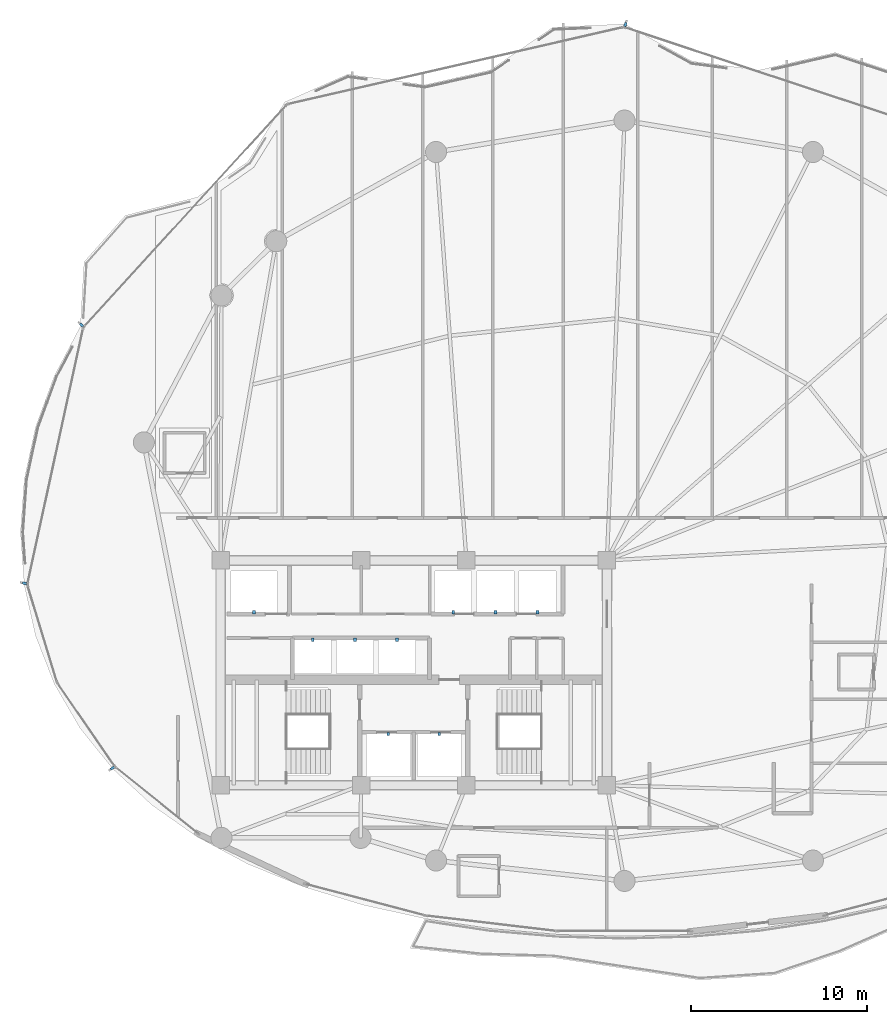
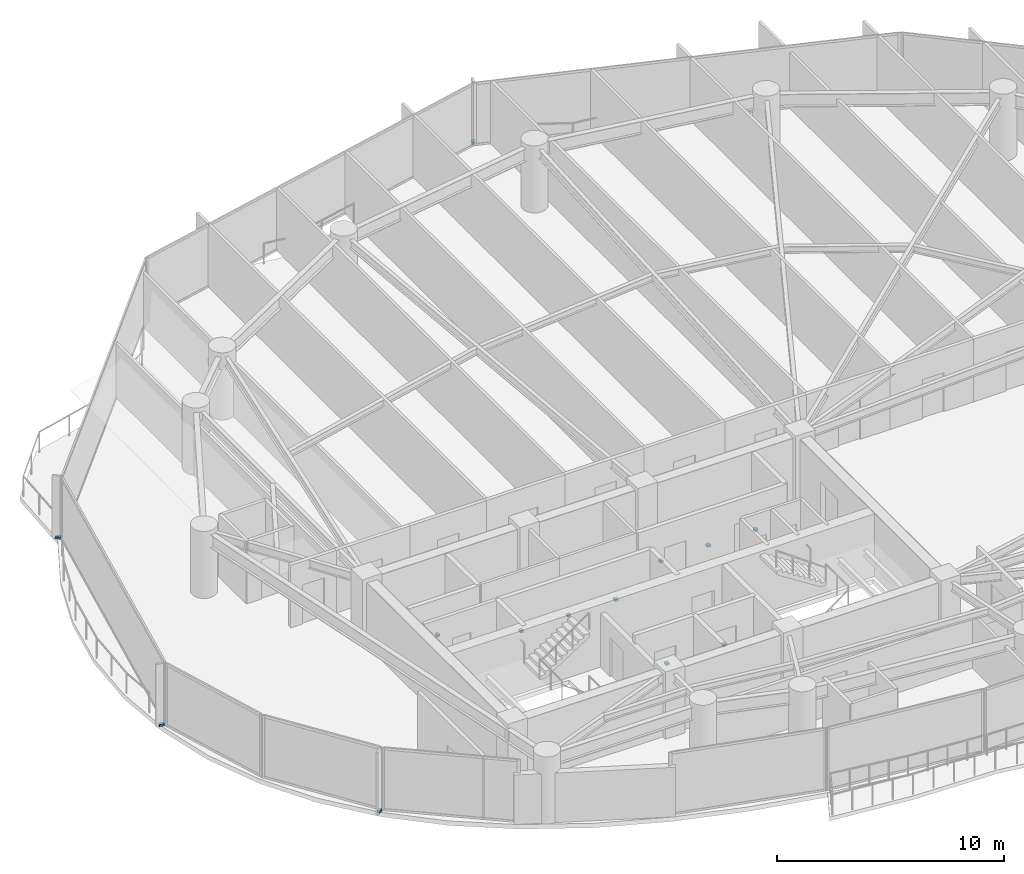
# One storey, part 29 of 34: 13 discrete accessories.
"""IFC4 building model written with IfcOpenShell, lengths in metres."""

from ifc_helpers import new_model, si_unit, direction, frame, origin, origin_2d, place, context, subcontext, project, spatial, rectangle, extrude, material, type_object, element, save


model = new_model("IFC4")

# Units and contexts
model_context = context("Model", 3, precision=1e-05, world=origin(), true_north=direction((0.0, 1.0)))
body_context = subcontext(model_context, "Body", "Model", "MODEL_VIEW")
ifc_project = project(units=[si_unit("LENGTHUNIT", "METRE"), si_unit("AREAUNIT", "SQUARE_METRE"), si_unit("VOLUMEUNIT", "CUBIC_METRE"), si_unit("PLANEANGLEUNIT", "RADIAN"), si_unit("MASSUNIT", "GRAM", prefix="KILO")], contexts=[model_context])

# Site, building, storey
site_placement = place(None, origin())
site = spatial("IfcSite", under=ifc_project, at=site_placement, CompositionType="ELEMENT")
building_placement = place(site_placement, origin())
building = spatial("IfcBuilding", under=site, at=building_placement, Name="Kazevale Care Tower and Concert Hall", CompositionType="ELEMENT")
storey_placement = place(building_placement, frame((0.0, 0.0, 163.800048828125)))
storey = spatial("IfcBuildingStorey", under=building, at=storey_placement, Name="L43", CompositionType="ELEMENT", Elevation=163.800048828125)

# Discrete accessories
ifc_material = material(Name="Stainless Steel 316", Category="steel")
discrete_accessory_type_1 = type_object("IfcDiscreteAccessoryType", Name="Facade Fin Stainless Anchor Bracket BRK-1", PredefinedType="BRACKET", material=ifc_material)
for number, where, z_axis, x_axis, name in (
    (1, (15.84130859375, 24.574462890625, 0.0), (0.0, 0.0, 1.0), (-0.823334533242, -0.567556381667, 0.0), "cw:L43:f11:brk"),
    (2, (10.83740234375, 35.099365234375, 0.0), (0.0, 0.0, 1.0), (-0.97708274037, 0.212859856409, 0.0), "cw:L43:f13:brk"),
    (3, (14.08544921875, 49.80908203125, 0.0), (0.0, 0.0, 1.0), (-0.738455340626, 0.674302387584, 0.0), "cw:L43:f14:brk"),
    (4, (45.049560546875, 66.916748046875, 0.0), (0.0, 0.0, 1.0), (0.314820866332, 0.949151106053, 0.0), "cw:L43:f16:brk"),
):
    element("IfcDiscreteAccessory", number, at=place(storey_placement, frame(where, z_axis=z_axis, x_axis=x_axis)), inside=storey, type_object=discrete_accessory_type_1, Name=name, PredefinedType="BRACKET", context=body_context, shape_type="SweptSolid", body=[
        extrude(rectangle(XDim=0.239990234375, YDim=0.139892578125, at=origin_2d()), origin(), (0.0, 0.0, 1.0), 0.1201171875),
    ])
discrete_accessory_type_2 = type_object("IfcDiscreteAccessoryType", Name="Hoistway Guide-Rail Wall Bracket HBRK-1", PredefinedType="BRACKET", material=ifc_material)
for number, where, z_axis, x_axis, name in (
    (5, (31.550048828125, 26.52001953125, 1.239990234375), (0.0, 0.0, 1.0), (1.0, 0.0, 0.0), "hbrk:FFL-1:L43"),
    (6, (34.449951171875, 26.52001953125, 1.239990234375), (0.0, 0.0, 1.0), (1.0, 0.0, 0.0), "hbrk:FFL-2:L43"),
    (7, (23.89990234375, 33.449951171875, 1.239990234375), (0.0, 0.0, 1.0), (1.0, 0.0, 0.0), "hbrk:SVL-1:L43"),
    (8, (35.25, 33.449951171875, 1.239990234375), (0.0, 0.0, 1.0), (1.0, 0.0, 0.0), "hbrk:PM-1:L43"),
    (9, (37.64990234375, 33.449951171875, 1.239990234375), (0.0, 0.0, 1.0), (1.0, 0.0, 0.0), "hbrk:PM-2:L43"),
    (10, (40.050048828125, 33.449951171875, 1.239990234375), (0.0, 0.0, 1.0), (1.0, 0.0, 0.0), "hbrk:PM-3:L43"),
    (11, (27.25, 31.8798828125, 1.239990234375), (0.0, 0.0, 1.0), (1.0, 0.0, 0.0), "hbrk:PH-1:L43"),
    (12, (29.64990234375, 31.8798828125, 1.239990234375), (0.0, 0.0, 1.0), (1.0, 0.0, 0.0), "hbrk:PH-2:L43"),
    (13, (32.050048828125, 31.8798828125, 1.239990234375), (0.0, 0.0, 1.0), (1.0, 0.0, 0.0), "hbrk:PH-3:L43"),
):
    element("IfcDiscreteAccessory", number, at=place(storey_placement, frame(where, z_axis=z_axis, x_axis=x_axis)), inside=storey, type_object=discrete_accessory_type_2, Name=name, PredefinedType="BRACKET", context=body_context, shape_type="SweptSolid", body=[
        extrude(rectangle(XDim=0.159912109375, YDim=0.179931640625, at=origin_2d()), origin(), (0.0, 0.0, 1.0), 0.1201171875),
    ])

save(model, "model.ifc")
